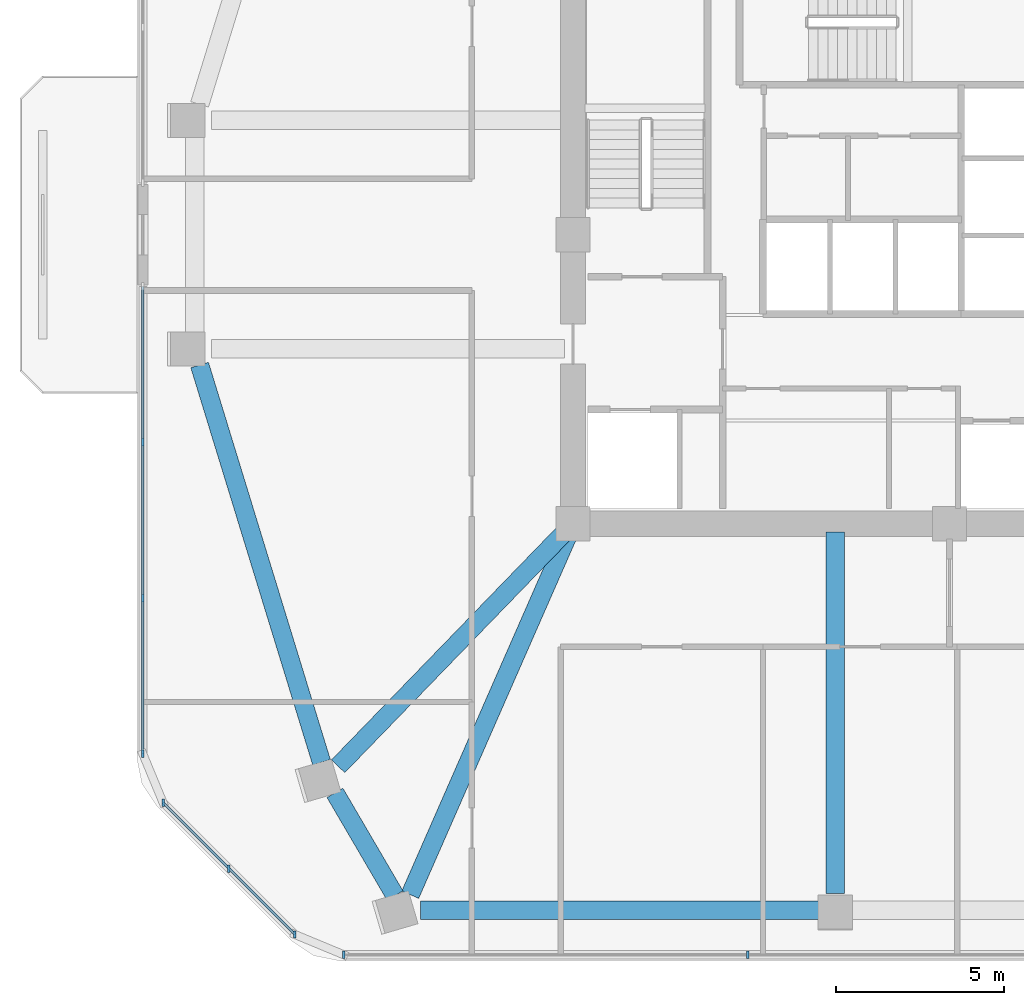
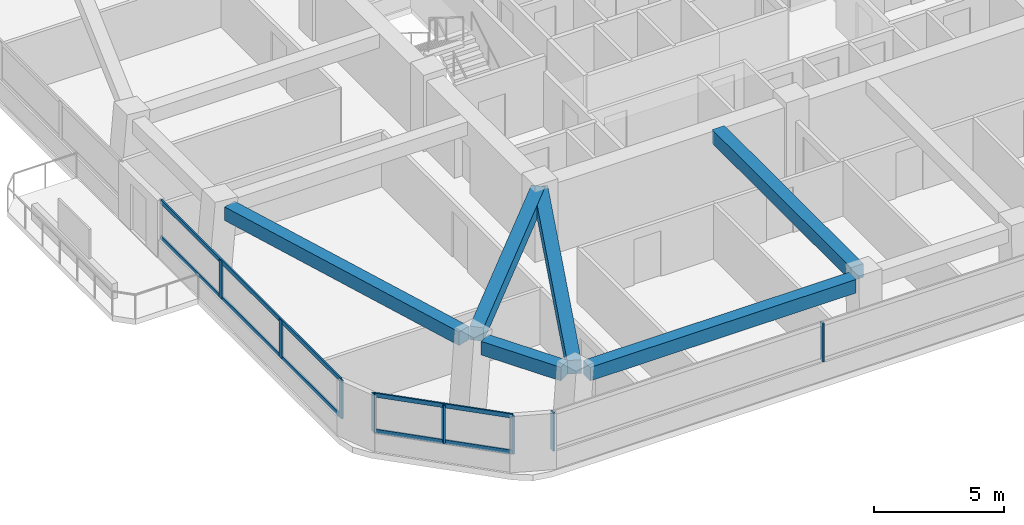
# One storey, part 2 of 14: 12 members, 6 beams, 3 elements without a shape of their own.
"""IFC4 building model written with IfcOpenShell, lengths in metres."""

import ifcopenshell
import ifcopenshell.guid

model = None  # the IFC model being written
_history = None  # IfcOwnerHistory: only IFC2X3 demands one
_inside = {}  # id of a spatial element -> (the spatial element, [elements in it])
_under = {}  # id of a project, library or spatial element -> (it, [spatial elements below it])
_declared = {}  # id of a project -> (the project, [libraries it declares])
_typed = {}  # id of a type object -> (the type object, [elements of that type])
_made_of = {}  # id of a material, layer set ... -> (it, [elements and type objects made of it])


def new_model(schema):
    """Start an empty IFC model of exactly this schema.

    Asked for "IFC4X3", IfcOpenShell would pick the latest addendum, in which some entities
    have other attributes; the version numbers below select the first issue.
    IFC2X3 requires an IfcOwnerHistory on every rooted entity: one is made here for all.
    """
    global model, _history
    if schema == "IFC4X3":
        model = ifcopenshell.file(schema_version=(4, 3, 0, 0))
    else:
        model = ifcopenshell.file(schema=schema)
    _inside.clear()
    _under.clear()
    _declared.clear()
    _typed.clear()
    _made_of.clear()
    _history = None
    if model.schema == "IFC2X3":
        org = make("IfcOrganization", Name="unknown")
        user = make(
            "IfcPersonAndOrganization",
            ThePerson=make("IfcPerson", FamilyName="unknown"),
            TheOrganization=org,
        )
        app = make(
            "IfcApplication",
            ApplicationDeveloper=org,
            Version="unknown",
            ApplicationFullName="unknown",
            ApplicationIdentifier="unknown",
        )
        _history = make(
            "IfcOwnerHistory",
            OwningUser=user,
            OwningApplication=app,
            ChangeAction="ADDED",
            CreationDate=0,
        )
    return model


def make(cls, **values):
    """One entity of the class cls with the attributes given. An attribute that is None is left unset."""
    return model.create_entity(
        cls, **{name: value for name, value in values.items() if value is not None}
    )


def rooted(cls, **values):
    """An entity with a GlobalId (a new one), such as an element, a storey or a relation."""
    return make(cls, GlobalId=ifcopenshell.guid.new(), OwnerHistory=_history, **values)


def si_unit(unit_type, name, prefix=None):
    """IfcSIUnit, for example si_unit("LENGTHUNIT", "METRE", prefix="MILLI")."""
    return make("IfcSIUnit", UnitType=unit_type, Prefix=prefix, Name=name)


def derived_unit(unit_type, elements):
    """IfcDerivedUnit: a product of units, each with its exponent."""
    return make(
        "IfcDerivedUnit",
        Elements=[
            make("IfcDerivedUnitElement", Unit=unit, Exponent=power)
            for unit, power in elements
        ],
        UnitType=unit_type,
    )


def assignment(units):
    """IfcUnitAssignment: the units of a project."""
    return None if units is None else make("IfcUnitAssignment", Units=units)


def point(xyz):
    """IfcCartesianPoint."""
    return None if xyz is None else make("IfcCartesianPoint", Coordinates=xyz)


def direction(xyz):
    """IfcDirection."""
    return None if xyz is None else make("IfcDirection", DirectionRatios=xyz)


def frame(location, z_axis=None, x_axis=None):
    """IfcAxis2Placement3D, a coordinate frame: its origin and axes. An axis left out is left unset."""
    return make(
        "IfcAxis2Placement3D",
        Location=point(location),
        Axis=direction(z_axis),
        RefDirection=direction(x_axis),
    )


def frame_2d(location, x_axis=None):
    """IfcAxis2Placement2D, a coordinate frame in the plane: its origin and x axis."""
    return make(
        "IfcAxis2Placement2D", Location=point(location), RefDirection=direction(x_axis)
    )


def origin():
    """The frame at (0, 0, 0) with its axes left unset."""
    return frame((0.0, 0.0, 0.0))


def origin_2d():
    """The frame at (0, 0) in the plane with its x axis left unset."""
    return frame_2d((0.0, 0.0))


def place(relative_to, where):
    """IfcLocalPlacement: puts the frame where relative to a parent placement (None: the world)."""
    return make(
        "IfcLocalPlacement", PlacementRelTo=relative_to, RelativePlacement=where
    )


def context(
    kind, dimensions, precision=None, world=None, true_north=None, identifier=None
):
    """IfcGeometricRepresentationContext, for example the 3D "Model" context."""
    return make(
        "IfcGeometricRepresentationContext",
        ContextIdentifier=identifier,
        ContextType=kind,
        CoordinateSpaceDimension=dimensions,
        Precision=precision,
        WorldCoordinateSystem=world,
        TrueNorth=true_north,
    )


def subcontext(parent, identifier, kind, view, scale=None):
    """IfcGeometricRepresentationSubContext, for example "Body" below "Model"."""
    return make(
        "IfcGeometricRepresentationSubContext",
        ContextIdentifier=identifier,
        ContextType=kind,
        ParentContext=parent,
        TargetScale=scale,
        TargetView=view,
    )


def project(units=None, contexts=None):
    """IfcProject with its units and contexts."""
    return rooted(
        "IfcProject",
        Name="project",
        RepresentationContexts=contexts,
        UnitsInContext=assignment(units),
    )


def spatial(cls, under=None, at=None, **own):
    """A site, building, storey or space (cls), placed at a placement, below another one or the project."""
    s = rooted(cls, ObjectPlacement=at, **own)
    if under is not None:
        _under.setdefault(under.id(), (under, []))[1].append(s)
    return s


def profile(cls, at=None, kind="AREA", **sizes):
    """A parametric profile (cls). Its sizes go by their IFC names, for example OverallWidth=200.0."""
    return make(cls, ProfileType=kind, Position=at, **sizes)


def rectangle(**sizes):
    """IfcRectangleProfileDef."""
    return profile("IfcRectangleProfileDef", **sizes)


def extrude(swept, where, along, depth):
    """IfcExtrudedAreaSolid: the profile swept, set in the frame where, extruded along a direction by depth."""
    return make(
        "IfcExtrudedAreaSolid",
        SweptArea=swept,
        Position=where,
        ExtrudedDirection=direction(along),
        Depth=depth,
    )


def shape(context_of_items, identifier, shape_type, items):
    """IfcShapeRepresentation: the items that make up one representation, for example the "Body"."""
    return make(
        "IfcShapeRepresentation",
        ContextOfItems=context_of_items,
        RepresentationIdentifier=identifier,
        RepresentationType=shape_type,
        Items=items,
    )


def material(Name=None, Category=None):
    """IfcMaterial."""
    return make("IfcMaterial", Name=Name, Category=Category)


def material_profile(
    of_material, cross_section, Name=None, Category=None, Priority=None
):
    """IfcMaterialProfile: a cross section and its material."""
    return make(
        "IfcMaterialProfile",
        Name=Name,
        Material=of_material,
        Profile=cross_section,
        Priority=Priority,
        Category=Category,
    )


def profile_set(profiles, Name=None, composite=None):
    """IfcMaterialProfileSet."""
    return make(
        "IfcMaterialProfileSet",
        Name=Name,
        MaterialProfiles=profiles,
        CompositeProfile=composite,
    )


def made_of(thing, what):
    """Note that an element or type object is made of a material, layer set ...; save() writes the relation."""
    if what is not None:
        _made_of.setdefault(what.id(), (what, []))[1].append(thing)
    return thing


def type_object(cls, material=None, **own):
    """A type object (cls), such as IfcWallType, which elements share."""
    return made_of(rooted(cls, **own), material)


def element(
    cls,
    number,
    at=None,
    inside=None,
    cuts=None,
    type_object=None,
    material=None,
    context=None,
    identifier="Body",
    shape_type=None,
    held_by="IfcProductDefinitionShape",
    body=None,
    shapes=None,
    **own,
):
    """One element of the class cls, such as IfcWall. Its Tag is "e" and its number.

    at: its placement. inside: the storey or other place that contains it. cuts: it is an
    opening in that element (IfcRelVoidsElement). A single representation is given by context,
    identifier, shape_type and body (its items); several are given by shapes. held_by: the class
    of the entity that holds the representations. save() writes the other relations.
    """
    e = rooted(cls, Tag="e%d" % number, ObjectPlacement=at, **own)
    if body is not None:
        shapes = [shape(context, identifier, shape_type, body)]
    if shapes is not None:
        e.Representation = make(held_by, Representations=shapes)
    if inside is not None:
        _inside.setdefault(inside.id(), (inside, []))[1].append(e)
    if cuts is not None:
        rooted(
            "IfcRelVoidsElement", RelatingBuildingElement=cuts, RelatedOpeningElement=e
        )
    if type_object is not None:
        _typed.setdefault(type_object.id(), (type_object, []))[1].append(e)
    return made_of(e, material)


def aggregate(whole, parts):
    """IfcRelAggregates: a whole, such as a stair, and the parts it consists of."""
    return rooted("IfcRelAggregates", RelatingObject=whole, RelatedObjects=parts)


def save(model, path):
    """Write the relations noted so far, then the file.

    IfcRelAggregates (storeys below a building ...), IfcRelContainedInSpatialStructure (elements
    in a storey), IfcRelDefinesByType, IfcRelAssociatesMaterial and IfcRelDeclares: one each for
    every whole, place, type object, material and project.
    """
    for whole, parts in _under.values():
        aggregate(whole, parts)
    for where, things in _inside.values():
        rooted(
            "IfcRelContainedInSpatialStructure",
            RelatedElements=things,
            RelatingStructure=where,
        )
    for kind, things in _typed.values():
        rooted("IfcRelDefinesByType", RelatedObjects=things, RelatingType=kind)
    for what, things in _made_of.values():
        rooted("IfcRelAssociatesMaterial", RelatedObjects=things, RelatingMaterial=what)
    for by, libraries in _declared.values():
        rooted("IfcRelDeclares", RelatingContext=by, RelatedDefinitions=libraries)
    model.write(path)


model = new_model("IFC4")

# Units and contexts
model_context = context("Model", 3, precision=1e-05, world=origin(), true_north=direction((0.0, 1.0)))
body_context = subcontext(model_context, "Body", "Model", "MODEL_VIEW")
ifc_project = project(units=[si_unit("LENGTHUNIT", "METRE"), si_unit("AREAUNIT", "SQUARE_METRE"), si_unit("VOLUMEUNIT", "CUBIC_METRE"), si_unit("PLANEANGLEUNIT", "RADIAN"), si_unit("MASSUNIT", "GRAM", prefix="KILO"), derived_unit("THERMALTRANSMITTANCEUNIT", [(si_unit("POWERUNIT", "WATT"), 1), (si_unit("LENGTHUNIT", "METRE"), -2), (si_unit("THERMODYNAMICTEMPERATUREUNIT", "KELVIN"), -1)])], contexts=[model_context])

# Site, building, storey
site_placement = place(None, origin())
site = spatial("IfcSite", under=ifc_project, at=site_placement, CompositionType="ELEMENT")
building_placement = place(site_placement, origin())
building = spatial("IfcBuilding", under=site, at=building_placement, Name="Koralith Skygarden Medical Center", CompositionType="ELEMENT")
storey_placement = place(building_placement, frame((0.0, 0.0, 120.780029296875)))
storey = spatial("IfcBuildingStorey", under=building, at=storey_placement, Name="L31", CompositionType="ELEMENT", Elevation=120.780029296875)

# Curtain wall, members
ifc_material_1 = material(Name="Clear Laminated Glass", Category="glass")
curtain_wall_type = type_object("IfcCurtainWallType", Name="CW-3 Zone 2 Faceted Solar Curtain Wall", PredefinedType="NOTDEFINED", material=ifc_material_1)
curtain_wall_1_placement = place(storey_placement, origin())
curtain_wall_1 = element("IfcCurtainWall", 1, at=curtain_wall_1_placement, inside=storey, type_object=curtain_wall_type, Name="Curtain Wall CW-L31-S", PredefinedType="NOTDEFINED")
ifc_material_2 = material(Name="Aluminium 6063-T6", Category="aluminium")
ifc_material_profile_1 = material_profile(ifc_material_2, rectangle(XDim=0.073974609375, YDim=0.219970703125, at=origin_2d()), Name="MUL74X220")
ifc_profile_set_1 = profile_set([ifc_material_profile_1], Name="Aluminium 6063-T6")
member_type_1 = type_object("IfcMemberType", Name="CW-3 Extruded Mullion 74x220", PredefinedType="MULLION", material=ifc_profile_set_1)
member_1_placement = place(storey_placement, frame((18.97607421875, 4.47607421875, 0.849853515625), z_axis=(0.0, 0.0, 1.0), x_axis=(1.0, 0.0, 0.0)))
member_1 = element("IfcMember", 2, at=member_1_placement, type_object=member_type_1, Name="CW-L31-S Mullion 1", PredefinedType="MULLION", context=body_context, shape_type="SweptSolid", body=[
    extrude(rectangle(XDim=0.073974609375, YDim=0.219970703125, at=origin_2d()), origin(), (0.0, 0.0, 1.0), 1.800048828125),
])
member_2_placement = place(storey_placement, frame((30.991943359375, 4.47607421875, 0.849853515625), z_axis=(0.0, 0.0, 1.0), x_axis=(1.0, 0.0, 0.0)))
member_2 = element("IfcMember", 3, at=member_2_placement, type_object=member_type_1, Name="CW-L31-S Mullion 2", PredefinedType="MULLION", context=body_context, shape_type="SweptSolid", body=[
    extrude(rectangle(XDim=0.073974609375, YDim=0.219970703125, at=origin_2d()), origin(), (0.0, 0.0, 1.0), 1.800048828125),
])
aggregate(curtain_wall_1, [member_1, member_2])

curtain_wall_2_placement = place(storey_placement, origin())
curtain_wall_2 = element("IfcCurtainWall", 4, at=curtain_wall_2_placement, inside=storey, type_object=curtain_wall_type, Name="Curtain Wall CW-L31-W-R", PredefinedType="NOTDEFINED")
member_3_placement = place(storey_placement, frame((13.0, 19.72412109375, 0.849853515625), z_axis=(0.0, 0.0, 1.0), x_axis=(1.0, 0.0, 0.0)))
member_3 = element("IfcMember", 5, at=member_3_placement, type_object=member_type_1, Name="CW-L31-W-R Mullion 2", PredefinedType="MULLION", context=body_context, shape_type="SweptSolid", body=[
    extrude(rectangle(XDim=0.073974609375, YDim=0.219970703125, at=origin_2d()), origin(), (0.0, 0.0, 1.0), 1.800048828125),
])
member_4_placement = place(storey_placement, frame((13.0, 15.087890625, 0.849853515625), z_axis=(0.0, 0.0, 1.0), x_axis=(1.0, 0.0, 0.0)))
member_4 = element("IfcMember", 6, at=member_4_placement, type_object=member_type_1, Name="CW-L31-W-R Mullion 3", PredefinedType="MULLION", context=body_context, shape_type="SweptSolid", body=[
    extrude(rectangle(XDim=0.073974609375, YDim=0.219970703125, at=origin_2d()), origin(), (0.0, 0.0, 1.0), 1.800048828125),
])
member_5_placement = place(storey_placement, frame((13.0, 10.451904296875, 0.849853515625), z_axis=(0.0, 0.0, 1.0), x_axis=(1.0, 0.0, 0.0)))
member_5 = element("IfcMember", 7, at=member_5_placement, type_object=member_type_1, Name="CW-L31-W-R Mullion 4", PredefinedType="MULLION", context=body_context, shape_type="SweptSolid", body=[
    extrude(rectangle(XDim=0.073974609375, YDim=0.219970703125, at=origin_2d()), origin(), (0.0, 0.0, 1.0), 1.800048828125),
])

curtain_wall_3_placement = place(storey_placement, origin())
curtain_wall_3 = element("IfcCurtainWall", 8, at=curtain_wall_3_placement, inside=storey, type_object=curtain_wall_type, Name="Curtain Wall CW-L31-SW", PredefinedType="NOTDEFINED")
member_6_placement = place(storey_placement, frame((13.60205078125, 9.0009765625, 0.849853515625), z_axis=(0.0, 0.0, 1.0), x_axis=(1.0, 0.0, 0.0)))
member_6 = element("IfcMember", 9, at=member_6_placement, type_object=member_type_1, Name="CW-L31-SW Mullion 1", PredefinedType="MULLION", context=body_context, shape_type="SweptSolid", body=[
    extrude(rectangle(XDim=0.073974609375, YDim=0.219970703125, at=origin_2d()), origin(), (0.0, 0.0, 1.0), 1.800048828125),
])
member_7_placement = place(storey_placement, frame((15.56298828125, 7.0400390625, 0.849853515625), z_axis=(0.0, 0.0, 1.0), x_axis=(1.0, 0.0, 0.0)))
member_7 = element("IfcMember", 10, at=member_7_placement, type_object=member_type_1, Name="CW-L31-SW Mullion 2", PredefinedType="MULLION", context=body_context, shape_type="SweptSolid", body=[
    extrude(rectangle(XDim=0.073974609375, YDim=0.219970703125, at=origin_2d()), origin(), (0.0, 0.0, 1.0), 1.800048828125),
])
member_8_placement = place(storey_placement, frame((17.52490234375, 5.077880859375, 0.849853515625), z_axis=(0.0, 0.0, 1.0), x_axis=(1.0, 0.0, 0.0)))
member_8 = element("IfcMember", 11, at=member_8_placement, type_object=member_type_1, Name="CW-L31-SW Mullion 3", PredefinedType="MULLION", context=body_context, shape_type="SweptSolid", body=[
    extrude(rectangle(XDim=0.073974609375, YDim=0.219970703125, at=origin_2d()), origin(), (0.0, 0.0, 1.0), 1.800048828125),
])

# Member
ifc_material_profile_2 = material_profile(ifc_material_2, rectangle(XDim=0.069091796875, YDim=0.197998046875, at=origin_2d()), Name="TRN69X198")
ifc_profile_set_2 = profile_set([ifc_material_profile_2], Name="Aluminium 6063-T6")
member_type_2 = type_object("IfcMemberType", Name="CW-3 Thermal Transom 69x198", PredefinedType="USERDEFINED", material=ifc_profile_set_2)
member_9_placement = place(storey_placement, frame((13.0, 24.360107421875, 0.89990234375), z_axis=(0.0, -1.0, 0.0), x_axis=(1.0, 0.0, 0.0)))
member_9 = element("IfcMember", 12, at=member_9_placement, type_object=member_type_2, Name="CW-L31-W-R Transom 1", ObjectType="TRANSOM", PredefinedType="USERDEFINED", context=body_context, shape_type="SweptSolid", body=[
    extrude(rectangle(XDim=0.069091796875, YDim=0.197998046875, at=origin_2d()), origin(), (0.0, 0.0, 1.0), 13.908203125),
])

member_10_placement = place(storey_placement, frame((13.0, 24.360107421875, 2.599853515625), z_axis=(0.0, -1.0, 0.0), x_axis=(1.0, 0.0, 0.0)))
member_10 = element("IfcMember", 13, at=member_10_placement, type_object=member_type_2, Name="CW-L31-W-R Transom 2", ObjectType="TRANSOM", PredefinedType="USERDEFINED", context=body_context, shape_type="SweptSolid", body=[
    extrude(rectangle(XDim=0.069091796875, YDim=0.197998046875, at=origin_2d()), origin(), (0.0, 0.0, 1.0), 13.908203125),
])

aggregate(curtain_wall_2, [member_3, member_4, member_5, member_9, member_10])

member_11_placement = place(storey_placement, frame((13.60205078125, 9.0009765625, 0.89990234375), z_axis=(0.707084777957, -0.707128783731, 0.0), x_axis=(0.707128783731, 0.707084777957, 0.0)))
member_11 = element("IfcMember", 14, at=member_11_placement, type_object=member_type_2, Name="CW-L31-SW Transom 1", ObjectType="TRANSOM", PredefinedType="USERDEFINED", context=body_context, shape_type="SweptSolid", body=[
    extrude(rectangle(XDim=0.069091796875, YDim=0.197998046875, at=origin_2d()), origin(), (0.0, 0.0, 1.0), 5.5478515625),
])

member_12_placement = place(storey_placement, frame((13.60205078125, 9.0009765625, 2.599853515625), z_axis=(0.707084777957, -0.707128783731, 0.0), x_axis=(0.707128783731, 0.707084777957, 0.0)))
member_12 = element("IfcMember", 15, at=member_12_placement, type_object=member_type_2, Name="CW-L31-SW Transom 2", ObjectType="TRANSOM", PredefinedType="USERDEFINED", context=body_context, shape_type="SweptSolid", body=[
    extrude(rectangle(XDim=0.069091796875, YDim=0.197998046875, at=origin_2d()), origin(), (0.0, 0.0, 1.0), 5.5478515625),
])

aggregate(curtain_wall_3, [member_6, member_7, member_8, member_11, member_12])

# Beams
ifc_material_3 = material(Name="Concrete C45/55", Category="concrete")
ifc_material_profile_3 = material_profile(ifc_material_3, rectangle(XDim=0.550048828125, YDim=0.639892578125, at=origin_2d()), Name="RCB550X640")
ifc_profile_set_3 = profile_set([ifc_material_profile_3], Name="Concrete C45/55")
beam_type_1 = type_object("IfcBeamType", Name="Radial Collector Beam RCB550X640", PredefinedType="BEAM", material=ifc_profile_set_3)
beam_1_placement = place(storey_placement, frame((25.6259765625, 17.1201171875, 2.97998046875), z_axis=(-0.695726103681, -0.718307168736, 0.0), x_axis=(0.718307168736, -0.695726103681, 0.0)))
element("IfcBeam", 16, at=beam_1_placement, inside=storey, type_object=beam_type_1, Name="L31 Radial Collector Beam RB-02", PredefinedType="BEAM", context=body_context, shape_type="SweptSolid", body=[
    extrude(rectangle(XDim=0.550048828125, YDim=0.639892578125, at=origin_2d()), origin(), (0.0, 0.0, 1.0), 9.79541015625),
])
beam_2_placement = place(storey_placement, frame((25.699951171875, 17.071044921875, 2.97998046875), z_axis=(-0.401910120332, -0.915679122387, 0.0), x_axis=(0.915679122387, -0.401910120332, 0.0)))
element("IfcBeam", 17, at=beam_2_placement, inside=storey, type_object=beam_type_1, Name="L31 Radial Collector Beam RB-03", PredefinedType="BEAM", context=body_context, shape_type="SweptSolid", body=[
    extrude(rectangle(XDim=0.550048828125, YDim=0.639892578125, at=origin_2d()), origin(), (0.0, 0.0, 1.0), 11.803466796875),
])
beam_3_placement = place(storey_placement, frame((33.60009765625, 17.050048828125, 2.97998046875), z_axis=(0.0, -1.0, 0.0), x_axis=(1.0, 0.0, 0.0)))
element("IfcBeam", 18, at=beam_3_placement, inside=storey, type_object=beam_type_1, Name="L31 Radial Collector Beam RB-04", PredefinedType="BEAM", context=body_context, shape_type="SweptSolid", body=[
    extrude(rectangle(XDim=0.550048828125, YDim=0.639892578125, at=origin_2d()), origin(), (0.0, 0.0, 1.0), 10.7451171875),
])
ifc_material_profile_4 = material_profile(ifc_material_3, rectangle(XDim=0.550048828125, YDim=0.639892578125, at=origin_2d()), Name="RCB550X640")
ifc_profile_set_4 = profile_set([ifc_material_profile_4], Name="Concrete C45/55")
beam_type_2 = type_object("IfcBeamType", Name="Zone 2-3 Spandrel Beam RCB550X640", PredefinedType="SPANDREL", material=ifc_profile_set_4)
beam_4_placement = place(storey_placement, frame((14.68994140625, 22.02197265625, 2.97998046875), z_axis=(0.293297536124, -0.956021210698, 0.0), x_axis=(0.956021210698, 0.293297536124, 0.0)))
element("IfcBeam", 19, at=beam_4_placement, inside=storey, type_object=beam_type_2, Name="L31 Perimeter Spandrel Beam SP-01", PredefinedType="SPANDREL", context=body_context, shape_type="SweptSolid", body=[
    extrude(rectangle(XDim=0.550048828125, YDim=0.639892578125, at=origin_2d()), origin(), (0.0, 0.0, 1.0), 12.36279296875),
])
beam_5_placement = place(storey_placement, frame((18.715087890625, 9.29296875, 2.97998046875), z_axis=(0.504972499237, -0.863135432603, 0.0), x_axis=(0.863135432603, 0.504972499237, 0.0)))
element("IfcBeam", 20, at=beam_5_placement, inside=storey, type_object=beam_type_2, Name="L31 Perimeter Spandrel Beam SP-02", PredefinedType="SPANDREL", context=body_context, shape_type="SweptSolid", body=[
    extrude(rectangle(XDim=0.550048828125, YDim=0.639892578125, at=origin_2d()), origin(), (0.0, 0.0, 1.0), 3.54052734375),
])
beam_6_placement = place(storey_placement, frame((21.2548828125, 5.804931640625, 2.97998046875), z_axis=(1.0, 0.0, 0.0), x_axis=(0.0, 1.0, 0.0)))
element("IfcBeam", 21, at=beam_6_placement, inside=storey, type_object=beam_type_2, Name="L31 Perimeter Spandrel Beam SP-03", PredefinedType="SPANDREL", context=body_context, shape_type="SweptSolid", body=[
    extrude(rectangle(XDim=0.550048828125, YDim=0.639892578125, at=origin_2d()), origin(), (0.0, 0.0, 1.0), 11.84521484375),
])

save(model, "model.ifc")
